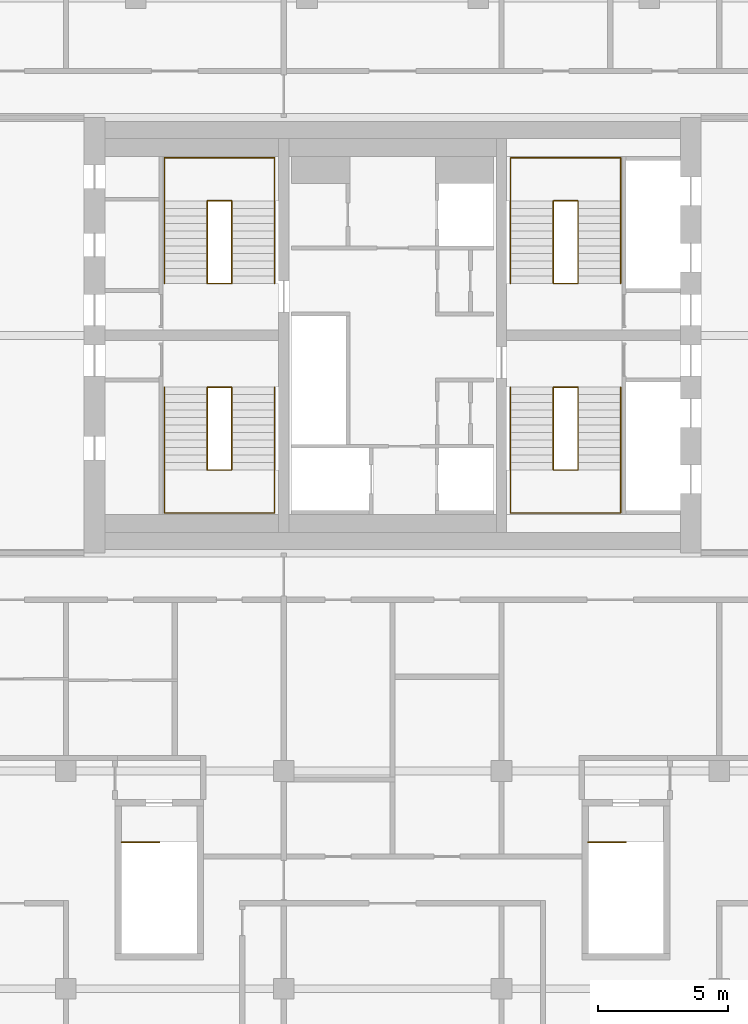
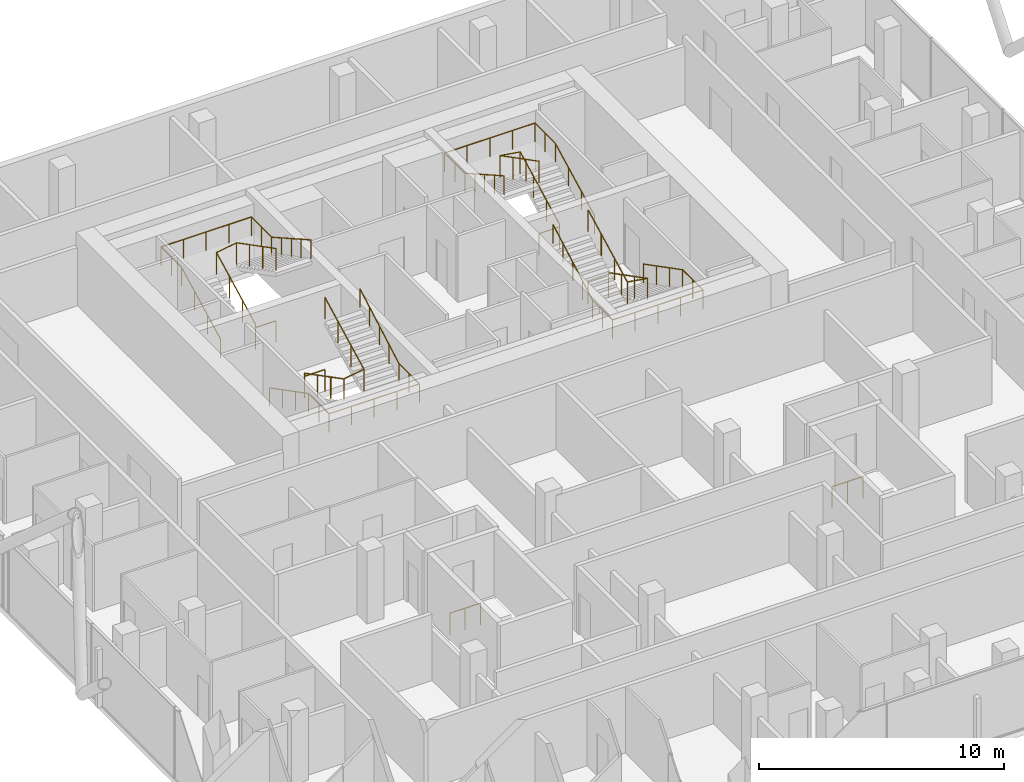
# One storey, part 33 of 33: 10 railings.
"""IFC4 building model written with IfcOpenShell, lengths in metres."""

from ifc_helpers import new_model, si_unit, direction, frame, origin, origin_2d, place, context, subcontext, project, spatial, circle, extrude, material, type_object, element, save


model = new_model("IFC4")

# Units and contexts
model_context = context("Model", 3, precision=1e-05, world=origin(), true_north=direction((0.0, 1.0)))
body_context = subcontext(model_context, "Body", "Model", "MODEL_VIEW")
ifc_project = project(units=[si_unit("LENGTHUNIT", "METRE"), si_unit("AREAUNIT", "SQUARE_METRE"), si_unit("VOLUMEUNIT", "CUBIC_METRE"), si_unit("PLANEANGLEUNIT", "RADIAN"), si_unit("MASSUNIT", "GRAM", prefix="KILO")], contexts=[model_context])

# Site, building, storey
site_placement = place(None, origin())
site = spatial("IfcSite", under=ifc_project, at=site_placement, CompositionType="ELEMENT")
building_placement = place(site_placement, origin())
building = spatial("IfcBuilding", under=site, at=building_placement, Name="Marenta Gate Hotel Tower", CompositionType="ELEMENT")
storey_placement = place(building_placement, frame((0.0, 0.0, 248.89990234375)))
storey = spatial("IfcBuildingStorey", under=building, at=storey_placement, Name="L59", CompositionType="ELEMENT", Elevation=248.89990234375)

# Railings
ifc_material_1 = material(Name="Stainless steel", Category="steel")
railing_type_1 = type_object("IfcRailingType", Name="Core stair handrail 950", PredefinedType="HANDRAIL", material=ifc_material_1)
railing_1_placement = place(storey_placement, frame((-8.800048828125, 6.39990234375, 0.150146484375)))
element("IfcRailing", 1, at=railing_1_placement, inside=storey, type_object=railing_type_1, Name="HR-950 L59-KR-ST1-1", PredefinedType="HANDRAIL", context=body_context, shape_type="SweptSolid", body=[
    extrude(circle(Radius=0.02392578125, at=origin_2d()), frame((0.0, 0.0, 0.92578125), z_axis=(0.0, -0.888225295554, 0.459408123936), x_axis=(1.0, 0.0, 0.0)), (0.0, 0.0, 1.0), 3.59130859375),
    extrude(circle(Radius=0.02392578125, at=origin_2d()), frame((0.0, -3.18994140625, 2.57568359375), z_axis=(0.0, -1.0, 0.0), x_axis=(1.0, 0.0, 0.0)), (0.0, 0.0, 1.0), 1.659912109375),
    extrude(circle(Radius=0.02392578125, at=origin_2d()), frame((0.0, -4.849853515625, 2.57568359375), z_axis=(1.0, 0.0, 0.0), x_axis=(0.0, 1.0, 0.0)), (0.0, 0.0, 1.0), 4.25),
    extrude(circle(Radius=0.02392578125, at=origin_2d()), frame((4.25, -4.849853515625, 2.57568359375), z_axis=(0.0, 1.0, 0.0), x_axis=(-1.0, 0.0, 0.0)), (0.0, 0.0, 1.0), 1.659912109375),
    extrude(circle(Radius=0.02392578125, at=origin_2d()), frame((4.25, -3.18994140625, 2.57568359375), z_axis=(0.0, 0.87090897868, 0.491444351738), x_axis=(-1.0, 0.0, 0.0)), (0.0, 0.0, 1.0), 3.662841796875),
    extrude(circle(Radius=0.02099609375, at=origin_2d()), origin(), (0.0, 0.0, 1.0), 0.90185546875),
    extrude(circle(Radius=0.02099609375, at=origin_2d()), frame((0.0, -1.063232421875, 0.550048828125)), (0.0, 0.0, 1.0), 0.90185546875),
    extrude(circle(Radius=0.02099609375, at=origin_2d()), frame((0.0, -2.126708984375, 1.099853515625)), (0.0, 0.0, 1.0), 0.90185546875),
    extrude(circle(Radius=0.02099609375, at=origin_2d()), frame((0.0, -3.18994140625, 1.64990234375)), (0.0, 0.0, 1.0), 0.90185546875),
    extrude(circle(Radius=0.02099609375, at=origin_2d()), frame((0.0, -4.02001953125, 1.64990234375)), (0.0, 0.0, 1.0), 0.90185546875),
    extrude(circle(Radius=0.02099609375, at=origin_2d()), frame((0.0, -4.849853515625, 1.64990234375)), (0.0, 0.0, 1.0), 0.90185546875),
    extrude(circle(Radius=0.02099609375, at=origin_2d()), frame((1.0625, -4.849853515625, 1.64990234375)), (0.0, 0.0, 1.0), 0.90185546875),
    extrude(circle(Radius=0.02099609375, at=origin_2d()), frame((2.125, -4.849853515625, 1.64990234375)), (0.0, 0.0, 1.0), 0.90185546875),
    extrude(circle(Radius=0.02099609375, at=origin_2d()), frame((3.1875, -4.849853515625, 1.64990234375)), (0.0, 0.0, 1.0), 0.90185546875),
    extrude(circle(Radius=0.02099609375, at=origin_2d()), frame((4.25, -4.849853515625, 1.64990234375)), (0.0, 0.0, 1.0), 0.90185546875),
    extrude(circle(Radius=0.02099609375, at=origin_2d()), frame((4.25, -4.02001953125, 1.64990234375)), (0.0, 0.0, 1.0), 0.90185546875),
    extrude(circle(Radius=0.02099609375, at=origin_2d()), frame((4.25, -3.18994140625, 1.64990234375)), (0.0, 0.0, 1.0), 0.90185546875),
    extrude(circle(Radius=0.02099609375, at=origin_2d()), frame((4.25, -2.392578125, 2.099853515625)), (0.0, 0.0, 1.0), 0.90185546875),
    extrude(circle(Radius=0.02099609375, at=origin_2d()), frame((4.25, -1.594970703125, 2.5498046875)), (0.0, 0.0, 1.0), 0.90185546875),
    extrude(circle(Radius=0.02099609375, at=origin_2d()), frame((4.25, -0.79736328125, 3.0)), (0.0, 0.0, 1.0), 0.90185546875),
    extrude(circle(Radius=0.02099609375, at=origin_2d()), frame((4.25, 0.0, 3.449951171875)), (0.0, 0.0, 1.0), 0.90185546875),
])
railing_2_placement = place(storey_placement, frame((-8.800048828125, 10.39990234375, 0.150146484375)))
element("IfcRailing", 2, at=railing_2_placement, inside=storey, type_object=railing_type_1, Name="HR-950 L59-KR-ST2-1", PredefinedType="HANDRAIL", context=body_context, shape_type="SweptSolid", body=[
    extrude(circle(Radius=0.02392578125, at=origin_2d()), frame((0.0, 0.0, 0.92578125), z_axis=(0.0, 0.888239641807, 0.459380385653), x_axis=(-1.0, 0.0, 0.0)), (0.0, 0.0, 1.0), 3.591552734375),
    extrude(circle(Radius=0.02392578125, at=origin_2d()), frame((0.0, 3.190185546875, 2.57568359375), z_axis=(0.0, 1.0, 0.0), x_axis=(-1.0, 0.0, 0.0)), (0.0, 0.0, 1.0), 1.659912109375),
    extrude(circle(Radius=0.02392578125, at=origin_2d()), frame((0.0, 4.85009765625, 2.57568359375), z_axis=(1.0, 0.0, 0.0), x_axis=(0.0, 1.0, 0.0)), (0.0, 0.0, 1.0), 4.25),
    extrude(circle(Radius=0.02392578125, at=origin_2d()), frame((4.25, 4.85009765625, 2.57568359375), z_axis=(0.0, -1.0, 0.0), x_axis=(1.0, 0.0, 0.0)), (0.0, 0.0, 1.0), 1.659912109375),
    extrude(circle(Radius=0.02392578125, at=origin_2d()), frame((4.25, 3.190185546875, 2.57568359375), z_axis=(0.0, -0.870925075533, 0.491415824742), x_axis=(1.0, 0.0, 0.0)), (0.0, 0.0, 1.0), 3.6630859375),
    extrude(circle(Radius=0.02099609375, at=origin_2d()), origin(), (0.0, 0.0, 1.0), 0.90185546875),
    extrude(circle(Radius=0.02099609375, at=origin_2d()), frame((0.0, 1.0634765625, 0.550048828125)), (0.0, 0.0, 1.0), 0.90185546875),
    extrude(circle(Radius=0.02099609375, at=origin_2d()), frame((0.0, 2.126708984375, 1.099853515625)), (0.0, 0.0, 1.0), 0.90185546875),
    extrude(circle(Radius=0.02099609375, at=origin_2d()), frame((0.0, 3.190185546875, 1.64990234375)), (0.0, 0.0, 1.0), 0.90185546875),
    extrude(circle(Radius=0.02099609375, at=origin_2d()), frame((0.0, 4.02001953125, 1.64990234375)), (0.0, 0.0, 1.0), 0.90185546875),
    extrude(circle(Radius=0.02099609375, at=origin_2d()), frame((0.0, 4.85009765625, 1.64990234375)), (0.0, 0.0, 1.0), 0.90185546875),
    extrude(circle(Radius=0.02099609375, at=origin_2d()), frame((1.0625, 4.85009765625, 1.64990234375)), (0.0, 0.0, 1.0), 0.90185546875),
    extrude(circle(Radius=0.02099609375, at=origin_2d()), frame((2.125, 4.85009765625, 1.64990234375)), (0.0, 0.0, 1.0), 0.90185546875),
    extrude(circle(Radius=0.02099609375, at=origin_2d()), frame((3.1875, 4.85009765625, 1.64990234375)), (0.0, 0.0, 1.0), 0.90185546875),
    extrude(circle(Radius=0.02099609375, at=origin_2d()), frame((4.25, 4.85009765625, 1.64990234375)), (0.0, 0.0, 1.0), 0.90185546875),
    extrude(circle(Radius=0.02099609375, at=origin_2d()), frame((4.25, 4.02001953125, 1.64990234375)), (0.0, 0.0, 1.0), 0.90185546875),
    extrude(circle(Radius=0.02099609375, at=origin_2d()), frame((4.25, 3.190185546875, 1.64990234375)), (0.0, 0.0, 1.0), 0.90185546875),
    extrude(circle(Radius=0.02099609375, at=origin_2d()), frame((4.25, 2.392578125, 2.099853515625)), (0.0, 0.0, 1.0), 0.90185546875),
    extrude(circle(Radius=0.02099609375, at=origin_2d()), frame((4.25, 1.59521484375, 2.5498046875)), (0.0, 0.0, 1.0), 0.90185546875),
    extrude(circle(Radius=0.02099609375, at=origin_2d()), frame((4.25, 0.797607421875, 3.0)), (0.0, 0.0, 1.0), 0.90185546875),
    extrude(circle(Radius=0.02099609375, at=origin_2d()), frame((4.25, 0.0, 3.449951171875)), (0.0, 0.0, 1.0), 0.90185546875),
])
railing_3_placement = place(storey_placement, frame((8.800048828125, 6.39990234375, 0.150146484375)))
element("IfcRailing", 3, at=railing_3_placement, inside=storey, type_object=railing_type_1, Name="HR-950 L59-KR-ST3-1", PredefinedType="HANDRAIL", context=body_context, shape_type="SweptSolid", body=[
    extrude(circle(Radius=0.02392578125, at=origin_2d()), frame((0.0, 0.0, 0.92578125), z_axis=(0.0, -0.888225295554, 0.459408123936), x_axis=(1.0, 0.0, 0.0)), (0.0, 0.0, 1.0), 3.59130859375),
    extrude(circle(Radius=0.02392578125, at=origin_2d()), frame((0.0, -3.18994140625, 2.57568359375), z_axis=(0.0, -1.0, 0.0), x_axis=(1.0, 0.0, 0.0)), (0.0, 0.0, 1.0), 1.659912109375),
    extrude(circle(Radius=0.02392578125, at=origin_2d()), frame((0.0, -4.849853515625, 2.57568359375), z_axis=(-1.0, 0.0, 0.0), x_axis=(0.0, -1.0, 0.0)), (0.0, 0.0, 1.0), 4.25),
    extrude(circle(Radius=0.02392578125, at=origin_2d()), frame((-4.25, -4.849853515625, 2.57568359375), z_axis=(0.0, 1.0, 0.0), x_axis=(-1.0, 0.0, 0.0)), (0.0, 0.0, 1.0), 1.659912109375),
    extrude(circle(Radius=0.02392578125, at=origin_2d()), frame((-4.25, -3.18994140625, 2.57568359375), z_axis=(0.0, 0.87090897868, 0.491444351738), x_axis=(-1.0, 0.0, 0.0)), (0.0, 0.0, 1.0), 3.662841796875),
    extrude(circle(Radius=0.02099609375, at=origin_2d()), origin(), (0.0, 0.0, 1.0), 0.90185546875),
    extrude(circle(Radius=0.02099609375, at=origin_2d()), frame((0.0, -1.063232421875, 0.550048828125)), (0.0, 0.0, 1.0), 0.90185546875),
    extrude(circle(Radius=0.02099609375, at=origin_2d()), frame((0.0, -2.126708984375, 1.099853515625)), (0.0, 0.0, 1.0), 0.90185546875),
    extrude(circle(Radius=0.02099609375, at=origin_2d()), frame((0.0, -3.18994140625, 1.64990234375)), (0.0, 0.0, 1.0), 0.90185546875),
    extrude(circle(Radius=0.02099609375, at=origin_2d()), frame((0.0, -4.02001953125, 1.64990234375)), (0.0, 0.0, 1.0), 0.90185546875),
    extrude(circle(Radius=0.02099609375, at=origin_2d()), frame((0.0, -4.849853515625, 1.64990234375)), (0.0, 0.0, 1.0), 0.90185546875),
    extrude(circle(Radius=0.02099609375, at=origin_2d()), frame((-1.0625, -4.849853515625, 1.64990234375)), (0.0, 0.0, 1.0), 0.90185546875),
    extrude(circle(Radius=0.02099609375, at=origin_2d()), frame((-2.125, -4.849853515625, 1.64990234375)), (0.0, 0.0, 1.0), 0.90185546875),
    extrude(circle(Radius=0.02099609375, at=origin_2d()), frame((-3.1875, -4.849853515625, 1.64990234375)), (0.0, 0.0, 1.0), 0.90185546875),
    extrude(circle(Radius=0.02099609375, at=origin_2d()), frame((-4.25, -4.849853515625, 1.64990234375)), (0.0, 0.0, 1.0), 0.90185546875),
    extrude(circle(Radius=0.02099609375, at=origin_2d()), frame((-4.25, -4.02001953125, 1.64990234375)), (0.0, 0.0, 1.0), 0.90185546875),
    extrude(circle(Radius=0.02099609375, at=origin_2d()), frame((-4.25, -3.18994140625, 1.64990234375)), (0.0, 0.0, 1.0), 0.90185546875),
    extrude(circle(Radius=0.02099609375, at=origin_2d()), frame((-4.25, -2.392578125, 2.099853515625)), (0.0, 0.0, 1.0), 0.90185546875),
    extrude(circle(Radius=0.02099609375, at=origin_2d()), frame((-4.25, -1.594970703125, 2.5498046875)), (0.0, 0.0, 1.0), 0.90185546875),
    extrude(circle(Radius=0.02099609375, at=origin_2d()), frame((-4.25, -0.79736328125, 3.0)), (0.0, 0.0, 1.0), 0.90185546875),
    extrude(circle(Radius=0.02099609375, at=origin_2d()), frame((-4.25, 0.0, 3.449951171875)), (0.0, 0.0, 1.0), 0.90185546875),
])
railing_4_placement = place(storey_placement, frame((8.800048828125, 10.39990234375, 0.150146484375)))
element("IfcRailing", 4, at=railing_4_placement, inside=storey, type_object=railing_type_1, Name="HR-950 L59-KR-ST4-1", PredefinedType="HANDRAIL", context=body_context, shape_type="SweptSolid", body=[
    extrude(circle(Radius=0.02392578125, at=origin_2d()), frame((0.0, 0.0, 0.92578125), z_axis=(0.0, 0.888239641807, 0.459380385653), x_axis=(-1.0, 0.0, 0.0)), (0.0, 0.0, 1.0), 3.591552734375),
    extrude(circle(Radius=0.02392578125, at=origin_2d()), frame((0.0, 3.190185546875, 2.57568359375), z_axis=(0.0, 1.0, 0.0), x_axis=(-1.0, 0.0, 0.0)), (0.0, 0.0, 1.0), 1.659912109375),
    extrude(circle(Radius=0.02392578125, at=origin_2d()), frame((0.0, 4.85009765625, 2.57568359375), z_axis=(-1.0, 0.0, 0.0), x_axis=(0.0, -1.0, 0.0)), (0.0, 0.0, 1.0), 4.25),
    extrude(circle(Radius=0.02392578125, at=origin_2d()), frame((-4.25, 4.85009765625, 2.57568359375), z_axis=(0.0, -1.0, 0.0), x_axis=(1.0, 0.0, 0.0)), (0.0, 0.0, 1.0), 1.659912109375),
    extrude(circle(Radius=0.02392578125, at=origin_2d()), frame((-4.25, 3.190185546875, 2.57568359375), z_axis=(0.0, -0.870925075533, 0.491415824742), x_axis=(1.0, 0.0, 0.0)), (0.0, 0.0, 1.0), 3.6630859375),
    extrude(circle(Radius=0.02099609375, at=origin_2d()), origin(), (0.0, 0.0, 1.0), 0.90185546875),
    extrude(circle(Radius=0.02099609375, at=origin_2d()), frame((0.0, 1.0634765625, 0.550048828125)), (0.0, 0.0, 1.0), 0.90185546875),
    extrude(circle(Radius=0.02099609375, at=origin_2d()), frame((0.0, 2.126708984375, 1.099853515625)), (0.0, 0.0, 1.0), 0.90185546875),
    extrude(circle(Radius=0.02099609375, at=origin_2d()), frame((0.0, 3.190185546875, 1.64990234375)), (0.0, 0.0, 1.0), 0.90185546875),
    extrude(circle(Radius=0.02099609375, at=origin_2d()), frame((0.0, 4.02001953125, 1.64990234375)), (0.0, 0.0, 1.0), 0.90185546875),
    extrude(circle(Radius=0.02099609375, at=origin_2d()), frame((0.0, 4.85009765625, 1.64990234375)), (0.0, 0.0, 1.0), 0.90185546875),
    extrude(circle(Radius=0.02099609375, at=origin_2d()), frame((-1.0625, 4.85009765625, 1.64990234375)), (0.0, 0.0, 1.0), 0.90185546875),
    extrude(circle(Radius=0.02099609375, at=origin_2d()), frame((-2.125, 4.85009765625, 1.64990234375)), (0.0, 0.0, 1.0), 0.90185546875),
    extrude(circle(Radius=0.02099609375, at=origin_2d()), frame((-3.1875, 4.85009765625, 1.64990234375)), (0.0, 0.0, 1.0), 0.90185546875),
    extrude(circle(Radius=0.02099609375, at=origin_2d()), frame((-4.25, 4.85009765625, 1.64990234375)), (0.0, 0.0, 1.0), 0.90185546875),
    extrude(circle(Radius=0.02099609375, at=origin_2d()), frame((-4.25, 4.02001953125, 1.64990234375)), (0.0, 0.0, 1.0), 0.90185546875),
    extrude(circle(Radius=0.02099609375, at=origin_2d()), frame((-4.25, 3.190185546875, 1.64990234375)), (0.0, 0.0, 1.0), 0.90185546875),
    extrude(circle(Radius=0.02099609375, at=origin_2d()), frame((-4.25, 2.392578125, 2.099853515625)), (0.0, 0.0, 1.0), 0.90185546875),
    extrude(circle(Radius=0.02099609375, at=origin_2d()), frame((-4.25, 1.59521484375, 2.5498046875)), (0.0, 0.0, 1.0), 0.90185546875),
    extrude(circle(Radius=0.02099609375, at=origin_2d()), frame((-4.25, 0.797607421875, 3.0)), (0.0, 0.0, 1.0), 0.90185546875),
    extrude(circle(Radius=0.02099609375, at=origin_2d()), frame((-4.25, 0.0, 3.449951171875)), (0.0, 0.0, 1.0), 0.90185546875),
])
ifc_material_2 = material(Name="Stainless steel", Category="steel")
railing_type_2 = type_object("IfcRailingType", Name="Core stair well guard 1100", PredefinedType="GUARDRAIL", material=ifc_material_2)
railing_5_placement = place(storey_placement, frame((-6.199951171875, 6.39990234375, 0.0)))
element("IfcRailing", 5, at=railing_5_placement, inside=storey, type_object=railing_type_2, Name="GR-1100 L59-KR-ST1-2", PredefinedType="GUARDRAIL", context=body_context, shape_type="SweptSolid", body=[
    extrude(circle(Radius=0.02392578125, at=origin_2d()), frame((0.0, 0.0, 1.076171875), z_axis=(-1.0, 0.0, 0.0), x_axis=(0.0, -1.0, 0.0)), (0.0, 0.0, 1.0), 0.949951171875),
    extrude(circle(Radius=0.02392578125, at=origin_2d()), frame((-0.949951171875, 0.0, 1.076171875), z_axis=(0.0, 0.0, 1.0), x_axis=(1.0, 0.0, 0.0)), (0.0, 0.0, 1.0), 0.150146484375),
    extrude(circle(Radius=0.02392578125, at=origin_2d()), frame((-0.949951171875, 0.0, 1.22607421875), z_axis=(0.0, -0.888225295554, 0.459408123936), x_axis=(1.0, 0.0, 0.0)), (0.0, 0.0, 1.0), 3.59130859375),
    extrude(circle(Radius=0.02392578125, at=origin_2d()), frame((-0.949951171875, -3.18994140625, 2.8759765625), z_axis=(0.987738253826, 0.0, 0.156118999255), x_axis=(0.0, 1.0, 0.0)), (0.0, 0.0, 1.0), 0.961669921875),
    extrude(circle(Radius=0.02392578125, at=origin_2d()), frame((0.0, -3.18994140625, 3.0263671875), z_axis=(0.0, 0.888225295554, 0.459408123936), x_axis=(-1.0, 0.0, 0.0)), (0.0, 0.0, 1.0), 3.59130859375),
    extrude(circle(Radius=0.02099609375, at=origin_2d()), origin(), (0.0, 0.0, 1.0), 1.052001953125),
    extrude(circle(Radius=0.02099609375, at=origin_2d()), frame((-0.949951171875, 0.0, 0.0)), (0.0, 0.0, 1.0), 1.052001953125),
    extrude(circle(Radius=0.02099609375, at=origin_2d()), frame((-0.949951171875, 0.0, 0.150146484375)), (0.0, 0.0, 1.0), 1.052001953125),
    extrude(circle(Radius=0.02099609375, at=origin_2d()), frame((-0.949951171875, -1.063232421875, 0.7001953125)), (0.0, 0.0, 1.0), 1.052001953125),
    extrude(circle(Radius=0.02099609375, at=origin_2d()), frame((-0.949951171875, -2.126708984375, 1.25)), (0.0, 0.0, 1.0), 1.052001953125),
    extrude(circle(Radius=0.02099609375, at=origin_2d()), frame((-0.949951171875, -3.18994140625, 1.800048828125)), (0.0, 0.0, 1.0), 1.052001953125),
    extrude(circle(Radius=0.02099609375, at=origin_2d()), frame((0.0, -3.18994140625, 1.9501953125)), (0.0, 0.0, 1.0), 1.052001953125),
    extrude(circle(Radius=0.02099609375, at=origin_2d()), frame((0.0, -2.126708984375, 2.500244140625)), (0.0, 0.0, 1.0), 1.052001953125),
    extrude(circle(Radius=0.02099609375, at=origin_2d()), frame((0.0, -1.063232421875, 3.050048828125)), (0.0, 0.0, 1.0), 1.052001953125),
    extrude(circle(Radius=0.02099609375, at=origin_2d()), frame((0.0, 0.0, 3.60009765625)), (0.0, 0.0, 1.0), 1.052001953125),
])
railing_6_placement = place(storey_placement, frame((-6.199951171875, 10.39990234375, 0.0)))
element("IfcRailing", 6, at=railing_6_placement, inside=storey, type_object=railing_type_2, Name="GR-1100 L59-KR-ST2-2", PredefinedType="GUARDRAIL", context=body_context, shape_type="SweptSolid", body=[
    extrude(circle(Radius=0.02392578125, at=origin_2d()), frame((0.0, 0.0, 1.076171875), z_axis=(-1.0, 0.0, 0.0), x_axis=(0.0, -1.0, 0.0)), (0.0, 0.0, 1.0), 0.949951171875),
    extrude(circle(Radius=0.02392578125, at=origin_2d()), frame((-0.949951171875, 0.0, 1.076171875), z_axis=(0.0, 0.0, 1.0), x_axis=(1.0, 0.0, 0.0)), (0.0, 0.0, 1.0), 0.150146484375),
    extrude(circle(Radius=0.02392578125, at=origin_2d()), frame((-0.949951171875, 0.0, 1.22607421875), z_axis=(0.0, 0.888239641807, 0.459380385653), x_axis=(-1.0, 0.0, 0.0)), (0.0, 0.0, 1.0), 3.591552734375),
    extrude(circle(Radius=0.02392578125, at=origin_2d()), frame((-0.949951171875, 3.190185546875, 2.8759765625), z_axis=(0.987738253826, 0.0, 0.156118999255), x_axis=(0.0, 1.0, 0.0)), (0.0, 0.0, 1.0), 0.961669921875),
    extrude(circle(Radius=0.02392578125, at=origin_2d()), frame((0.0, 3.190185546875, 3.0263671875), z_axis=(0.0, -0.888239641807, 0.459380385653), x_axis=(1.0, 0.0, 0.0)), (0.0, 0.0, 1.0), 3.591552734375),
    extrude(circle(Radius=0.02099609375, at=origin_2d()), origin(), (0.0, 0.0, 1.0), 1.052001953125),
    extrude(circle(Radius=0.02099609375, at=origin_2d()), frame((-0.949951171875, 0.0, 0.0)), (0.0, 0.0, 1.0), 1.052001953125),
    extrude(circle(Radius=0.02099609375, at=origin_2d()), frame((-0.949951171875, 0.0, 0.150146484375)), (0.0, 0.0, 1.0), 1.052001953125),
    extrude(circle(Radius=0.02099609375, at=origin_2d()), frame((-0.949951171875, 1.0634765625, 0.7001953125)), (0.0, 0.0, 1.0), 1.052001953125),
    extrude(circle(Radius=0.02099609375, at=origin_2d()), frame((-0.949951171875, 2.126708984375, 1.25)), (0.0, 0.0, 1.0), 1.052001953125),
    extrude(circle(Radius=0.02099609375, at=origin_2d()), frame((-0.949951171875, 3.190185546875, 1.800048828125)), (0.0, 0.0, 1.0), 1.052001953125),
    extrude(circle(Radius=0.02099609375, at=origin_2d()), frame((0.0, 3.190185546875, 1.9501953125)), (0.0, 0.0, 1.0), 1.052001953125),
    extrude(circle(Radius=0.02099609375, at=origin_2d()), frame((0.0, 2.126708984375, 2.500244140625)), (0.0, 0.0, 1.0), 1.052001953125),
    extrude(circle(Radius=0.02099609375, at=origin_2d()), frame((0.0, 1.0634765625, 3.050048828125)), (0.0, 0.0, 1.0), 1.052001953125),
    extrude(circle(Radius=0.02099609375, at=origin_2d()), frame((0.0, 0.0, 3.60009765625)), (0.0, 0.0, 1.0), 1.052001953125),
])
railing_7_placement = place(storey_placement, frame((6.199951171875, 6.39990234375, 0.0)))
element("IfcRailing", 7, at=railing_7_placement, inside=storey, type_object=railing_type_2, Name="GR-1100 L59-KR-ST3-2", PredefinedType="GUARDRAIL", context=body_context, shape_type="SweptSolid", body=[
    extrude(circle(Radius=0.02392578125, at=origin_2d()), frame((0.0, 0.0, 1.076171875), z_axis=(1.0, 0.0, 0.0), x_axis=(0.0, 1.0, 0.0)), (0.0, 0.0, 1.0), 0.949951171875),
    extrude(circle(Radius=0.02392578125, at=origin_2d()), frame((0.949951171875, 0.0, 1.076171875), z_axis=(0.0, 0.0, 1.0), x_axis=(1.0, 0.0, 0.0)), (0.0, 0.0, 1.0), 0.150146484375),
    extrude(circle(Radius=0.02392578125, at=origin_2d()), frame((0.949951171875, 0.0, 1.22607421875), z_axis=(0.0, -0.888225295554, 0.459408123936), x_axis=(1.0, 0.0, 0.0)), (0.0, 0.0, 1.0), 3.59130859375),
    extrude(circle(Radius=0.02392578125, at=origin_2d()), frame((0.949951171875, -3.18994140625, 2.8759765625), z_axis=(-0.987738253826, 0.0, 0.156118999255), x_axis=(0.0, -1.0, 0.0)), (0.0, 0.0, 1.0), 0.961669921875),
    extrude(circle(Radius=0.02392578125, at=origin_2d()), frame((0.0, -3.18994140625, 3.0263671875), z_axis=(0.0, 0.888225295554, 0.459408123936), x_axis=(-1.0, 0.0, 0.0)), (0.0, 0.0, 1.0), 3.59130859375),
    extrude(circle(Radius=0.02099609375, at=origin_2d()), origin(), (0.0, 0.0, 1.0), 1.052001953125),
    extrude(circle(Radius=0.02099609375, at=origin_2d()), frame((0.949951171875, 0.0, 0.0)), (0.0, 0.0, 1.0), 1.052001953125),
    extrude(circle(Radius=0.02099609375, at=origin_2d()), frame((0.949951171875, 0.0, 0.150146484375)), (0.0, 0.0, 1.0), 1.052001953125),
    extrude(circle(Radius=0.02099609375, at=origin_2d()), frame((0.949951171875, -1.063232421875, 0.7001953125)), (0.0, 0.0, 1.0), 1.052001953125),
    extrude(circle(Radius=0.02099609375, at=origin_2d()), frame((0.949951171875, -2.126708984375, 1.25)), (0.0, 0.0, 1.0), 1.052001953125),
    extrude(circle(Radius=0.02099609375, at=origin_2d()), frame((0.949951171875, -3.18994140625, 1.800048828125)), (0.0, 0.0, 1.0), 1.052001953125),
    extrude(circle(Radius=0.02099609375, at=origin_2d()), frame((0.0, -3.18994140625, 1.9501953125)), (0.0, 0.0, 1.0), 1.052001953125),
    extrude(circle(Radius=0.02099609375, at=origin_2d()), frame((0.0, -2.126708984375, 2.500244140625)), (0.0, 0.0, 1.0), 1.052001953125),
    extrude(circle(Radius=0.02099609375, at=origin_2d()), frame((0.0, -1.063232421875, 3.050048828125)), (0.0, 0.0, 1.0), 1.052001953125),
    extrude(circle(Radius=0.02099609375, at=origin_2d()), frame((0.0, 0.0, 3.60009765625)), (0.0, 0.0, 1.0), 1.052001953125),
])
railing_8_placement = place(storey_placement, frame((6.199951171875, 10.39990234375, 0.0)))
element("IfcRailing", 8, at=railing_8_placement, inside=storey, type_object=railing_type_2, Name="GR-1100 L59-KR-ST4-2", PredefinedType="GUARDRAIL", context=body_context, shape_type="SweptSolid", body=[
    extrude(circle(Radius=0.02392578125, at=origin_2d()), frame((0.0, 0.0, 1.076171875), z_axis=(1.0, 0.0, 0.0), x_axis=(0.0, 1.0, 0.0)), (0.0, 0.0, 1.0), 0.949951171875),
    extrude(circle(Radius=0.02392578125, at=origin_2d()), frame((0.949951171875, 0.0, 1.076171875), z_axis=(0.0, 0.0, 1.0), x_axis=(1.0, 0.0, 0.0)), (0.0, 0.0, 1.0), 0.150146484375),
    extrude(circle(Radius=0.02392578125, at=origin_2d()), frame((0.949951171875, 0.0, 1.22607421875), z_axis=(0.0, 0.888239641807, 0.459380385653), x_axis=(-1.0, 0.0, 0.0)), (0.0, 0.0, 1.0), 3.591552734375),
    extrude(circle(Radius=0.02392578125, at=origin_2d()), frame((0.949951171875, 3.190185546875, 2.8759765625), z_axis=(-0.987738253826, 0.0, 0.156118999255), x_axis=(0.0, -1.0, 0.0)), (0.0, 0.0, 1.0), 0.961669921875),
    extrude(circle(Radius=0.02392578125, at=origin_2d()), frame((0.0, 3.190185546875, 3.0263671875), z_axis=(0.0, -0.888239641807, 0.459380385653), x_axis=(1.0, 0.0, 0.0)), (0.0, 0.0, 1.0), 3.591552734375),
    extrude(circle(Radius=0.02099609375, at=origin_2d()), origin(), (0.0, 0.0, 1.0), 1.052001953125),
    extrude(circle(Radius=0.02099609375, at=origin_2d()), frame((0.949951171875, 0.0, 0.0)), (0.0, 0.0, 1.0), 1.052001953125),
    extrude(circle(Radius=0.02099609375, at=origin_2d()), frame((0.949951171875, 0.0, 0.150146484375)), (0.0, 0.0, 1.0), 1.052001953125),
    extrude(circle(Radius=0.02099609375, at=origin_2d()), frame((0.949951171875, 1.0634765625, 0.7001953125)), (0.0, 0.0, 1.0), 1.052001953125),
    extrude(circle(Radius=0.02099609375, at=origin_2d()), frame((0.949951171875, 2.126708984375, 1.25)), (0.0, 0.0, 1.0), 1.052001953125),
    extrude(circle(Radius=0.02099609375, at=origin_2d()), frame((0.949951171875, 3.190185546875, 1.800048828125)), (0.0, 0.0, 1.0), 1.052001953125),
    extrude(circle(Radius=0.02099609375, at=origin_2d()), frame((0.0, 3.190185546875, 1.9501953125)), (0.0, 0.0, 1.0), 1.052001953125),
    extrude(circle(Radius=0.02099609375, at=origin_2d()), frame((0.0, 2.126708984375, 2.500244140625)), (0.0, 0.0, 1.0), 1.052001953125),
    extrude(circle(Radius=0.02099609375, at=origin_2d()), frame((0.0, 1.0634765625, 3.050048828125)), (0.0, 0.0, 1.0), 1.052001953125),
    extrude(circle(Radius=0.02099609375, at=origin_2d()), frame((0.0, 0.0, 3.60009765625)), (0.0, 0.0, 1.0), 1.052001953125),
])
for number, where, name in (
    (9, (-10.449951171875, -11.14990234375, 0.0), "GR-1100 L59-RS-Z3-1-KR-1"),
    (10, (7.550048828125, -11.14990234375, 0.0), "GR-1100 L59-RS-Z3-2-KR-1"),
):
    element("IfcRailing", number, at=place(storey_placement, frame(where)), inside=storey, type_object=railing_type_2, Name=name, PredefinedType="GUARDRAIL", context=body_context, shape_type="SweptSolid", body=[
        extrude(circle(Radius=0.02392578125, at=origin_2d()), frame((0.0, 0.0, 1.076171875), z_axis=(1.0, 0.0, 0.0), x_axis=(0.0, 1.0, 0.0)), (0.0, 0.0, 1.0), 1.449951171875),
        extrude(circle(Radius=0.02099609375, at=origin_2d()), origin(), (0.0, 0.0, 1.0), 1.052001953125),
        extrude(circle(Radius=0.02099609375, at=origin_2d()), frame((0.72509765625, 0.0, 0.0)), (0.0, 0.0, 1.0), 1.052001953125),
        extrude(circle(Radius=0.02099609375, at=origin_2d()), frame((1.449951171875, 0.0, 0.0)), (0.0, 0.0, 1.0), 1.052001953125),
    ])

save(model, "model.ifc")
